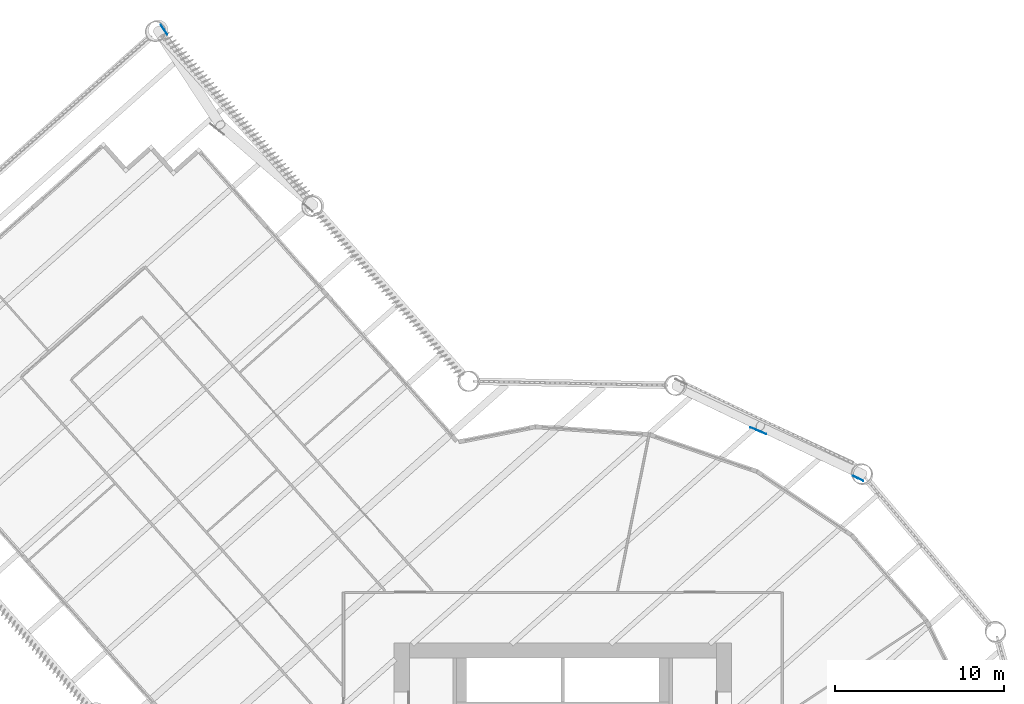
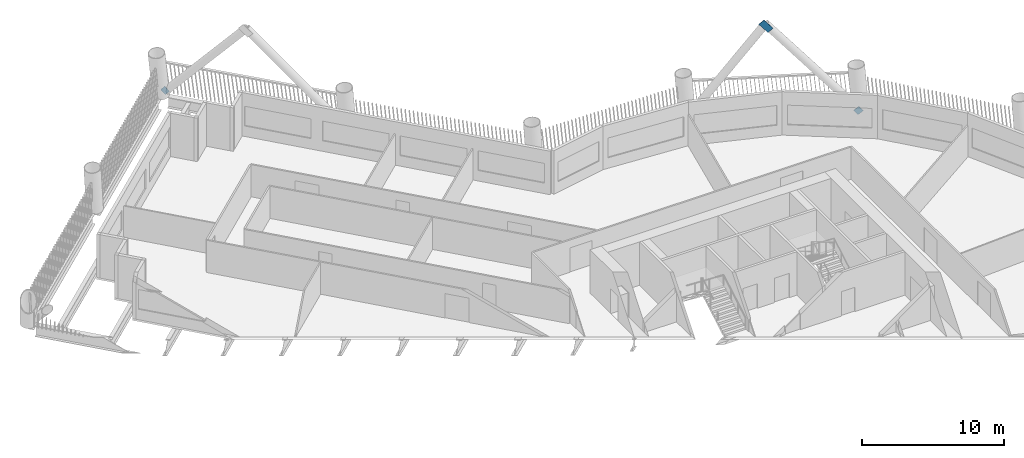
# One storey, part 12 of 22: 3 discrete accessories.
"""IFC4 building model written with IfcOpenShell, lengths in metres."""

from ifc_helpers import new_model, si_unit, direction, frame, origin, origin_2d, place, context, subcontext, project, spatial, rectangle, extrude, material, material_profile, profile_set, type_object, element, save


model = new_model("IFC4")

# Units and contexts
model_context = context("Model", 3, precision=1e-05, world=origin(), true_north=direction((0.0, 1.0)))
body_context = subcontext(model_context, "Body", "Model", "MODEL_VIEW")
ifc_project = project(units=[si_unit("LENGTHUNIT", "METRE"), si_unit("AREAUNIT", "SQUARE_METRE"), si_unit("VOLUMEUNIT", "CUBIC_METRE"), si_unit("PLANEANGLEUNIT", "RADIAN"), si_unit("MASSUNIT", "GRAM", prefix="KILO")], contexts=[model_context])

# Site, building, storey
site_placement = place(None, origin())
site = spatial("IfcSite", under=ifc_project, at=site_placement, CompositionType="ELEMENT")
building_placement = place(site_placement, origin())
building = spatial("IfcBuilding", under=site, at=building_placement, Name="Tarsis Ring Headquarters", CompositionType="ELEMENT")
storey_placement = place(building_placement, frame((0.0, 0.0, 55.60009765625)))
storey = spatial("IfcBuildingStorey", under=building, at=storey_placement, Name="L11", CompositionType="ELEMENT", Elevation=55.60009765625)

# Discrete accessories
ifc_material = material(Name="Structural steel S355", Category="steel")
ifc_material_profile = material_profile(ifc_material, rectangle(XDim=0.02490234375, YDim=0.5, at=origin_2d()), Name="PL 25x500")
ifc_profile_set = profile_set([ifc_material_profile], Name="Structural steel S355")
discrete_accessory_type = type_object("IfcDiscreteAccessoryType", Name="Gusset plate Exo brace 25", PredefinedType="BRACKET", material=ifc_profile_set)
discrete_accessory_1_placement = place(storey_placement, frame((17.63330078125, 22.69287109375, 0.0), z_axis=(-0.589123016834, 0.280883693764, 0.757653233092), x_axis=(-0.430369329838, -0.902652890061, 0.0)))
element("IfcDiscreteAccessory", 1, at=discrete_accessory_1_placement, inside=storey, type_object=discrete_accessory_type, Name="Gusset plate GP5", PredefinedType="BRACKET", context=body_context, shape_type="SweptSolid", body=[
    extrude(rectangle(XDim=0.02490234375, YDim=0.5, at=origin_2d()), origin(), (0.0, 0.0, 1.0), 0.499755859375),
])
discrete_accessory_2_placement = place(storey_placement, frame((11.8798828125, 25.45068359375, 7.421142578125), z_axis=(-0.599906241931, 0.257102675113, 0.757634948601), x_axis=(-0.393919298579, -0.919145030018, 0.0)))
element("IfcDiscreteAccessory", 2, at=discrete_accessory_2_placement, inside=storey, type_object=discrete_accessory_type, Name="Gusset plate GP5", PredefinedType="BRACKET", context=body_context, shape_type="SweptSolid", body=[
    extrude(rectangle(XDim=0.02490234375, YDim=0.5, at=origin_2d()), origin(), (0.0, 0.0, 1.0), 1.0),
])
discrete_accessory_3_placement = place(storey_placement, frame((-23.722900390625, 49.484375, 0.0), z_axis=(0.358920479009, -0.545461462657, 0.757395459786), x_axis=(0.835371896302, 0.54968517796, 0.0)))
element("IfcDiscreteAccessory", 3, at=discrete_accessory_3_placement, inside=storey, type_object=discrete_accessory_type, Name="Gusset plate GP5", PredefinedType="BRACKET", context=body_context, shape_type="SweptSolid", body=[
    extrude(rectangle(XDim=0.02490234375, YDim=0.5, at=origin_2d()), origin(), (0.0, 0.0, 1.0), 0.5),
])

save(model, "model.ifc")
